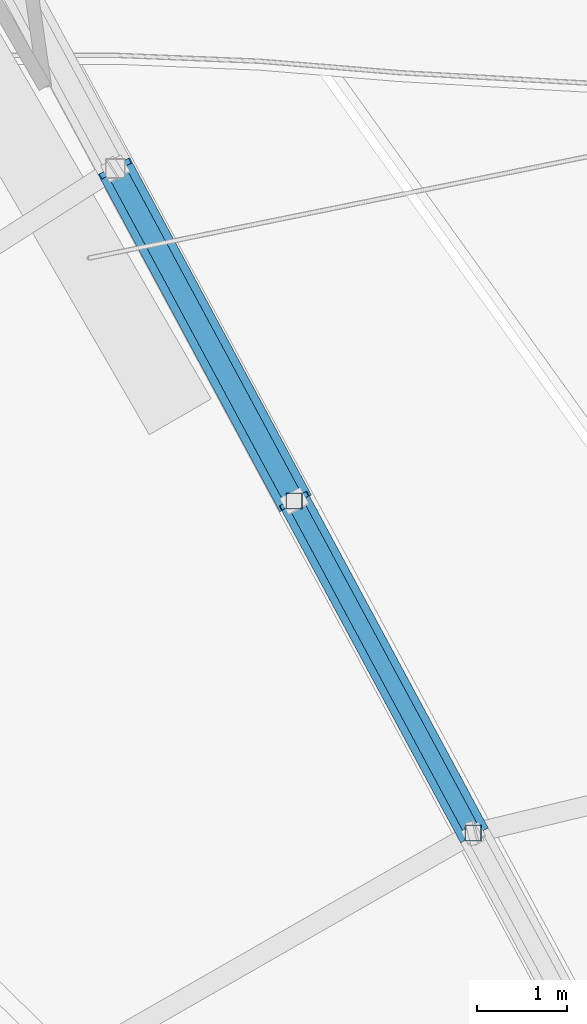
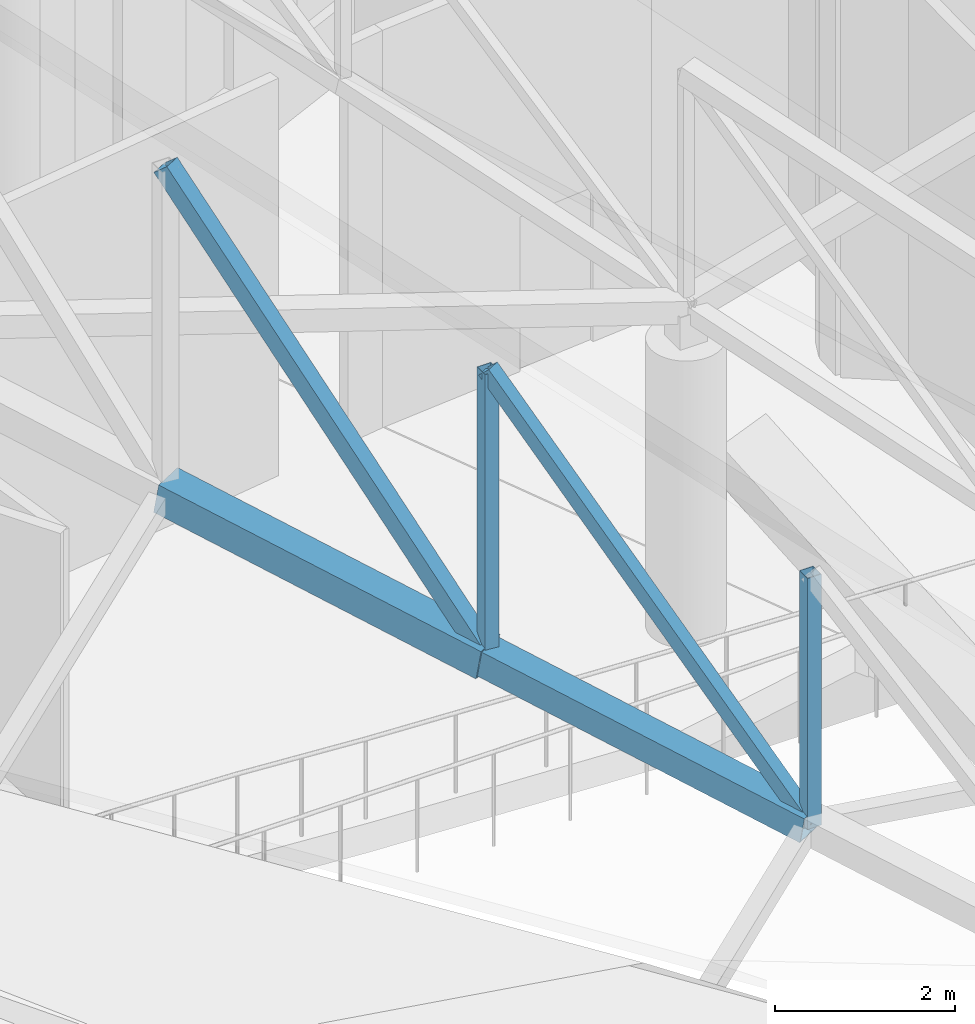
# One storey, part 141 of 344: 6 members.
"""IFC4 building model written with IfcOpenShell, lengths in metres."""

from ifc_helpers import new_model, si_unit, direction, frame, origin, origin_2d, place, context, subcontext, project, spatial, hollow_rectangle, extrude, material, material_profile, profile_set, type_object, element, save


model = new_model("IFC4")

# Units and contexts
model_context = context("Model", 3, precision=1e-05, world=origin(), true_north=direction((0.0, 1.0)))
body_context = subcontext(model_context, "Body", "Model", "MODEL_VIEW")
ifc_project = project(units=[si_unit("LENGTHUNIT", "METRE"), si_unit("AREAUNIT", "SQUARE_METRE"), si_unit("VOLUMEUNIT", "CUBIC_METRE"), si_unit("PLANEANGLEUNIT", "RADIAN"), si_unit("MASSUNIT", "GRAM", prefix="KILO")], contexts=[model_context])

# Site, building, storey
site_placement = place(None, origin())
site = spatial("IfcSite", under=ifc_project, at=site_placement, CompositionType="ELEMENT")
building_placement = place(site_placement, origin())
building = spatial("IfcBuilding", under=site, at=building_placement, Name="Meseta Stadium", CompositionType="ELEMENT")
storey_placement = place(building_placement, frame((0.0, 0.0, 24.0)))
storey = spatial("IfcBuildingStorey", under=building, at=storey_placement, Name="L04", CompositionType="ELEMENT", Elevation=24.0)

# Members
ifc_material_1 = material(Name="Steel S355", Category="steel")
ifc_material_profile_1 = material_profile(ifc_material_1, hollow_rectangle(XDim=0.179931640625, YDim=0.179931640625, WallThickness=0.00634765625, at=origin_2d()), Name="SHS 180x180x6.3")
ifc_profile_set_1 = profile_set([ifc_material_profile_1], Name="Steel S355")
member_type_1 = type_object("IfcMemberType", Name="SHS 180x180x6.3 diagonal", PredefinedType="BRACE", material=ifc_profile_set_1)
member_1_placement = place(storey_placement, frame((-38.682373046875, 79.9521484375, 4.798828125), z_axis=(-0.319424878403, 0.592994818207, 0.739137938843), x_axis=(-0.880396734491, -0.474237904324, 0.0)))
element("IfcMember", 1, at=member_1_placement, inside=storey, type_object=member_type_1, Name="ROOF TRUSS RT-22 diagonal", PredefinedType="BRACE", context=body_context, shape_type="SweptSolid", body=[
    extrude(hollow_rectangle(XDim=0.179931640625, YDim=0.179931640625, WallThickness=0.00634765625, at=origin_2d()), origin(), (0.0, 0.0, 1.0), 6.26123046875),
])
ifc_material_2 = material(Name="Steel S355", Category="steel")
ifc_material_profile_2 = material_profile(ifc_material_2, hollow_rectangle(XDim=0.179931640625, YDim=0.179931640625, WallThickness=0.00634765625, at=origin_2d()), Name="SHS 180x180x6.3")
ifc_profile_set_2 = profile_set([ifc_material_profile_2], Name="Steel S355")
member_type_2 = type_object("IfcMemberType", Name="SHS 180x180x6.3 post", PredefinedType="POST", material=ifc_profile_set_2)
member_2_placement = place(storey_placement, frame((-38.682373046875, 79.9521484375, 4.798828125), z_axis=(0.0, 0.0, 1.0), x_axis=(1.0, 0.0, 0.0)))
element("IfcMember", 2, at=member_2_placement, inside=storey, type_object=member_type_2, Name="ROOF TRUSS RT-22 post", PredefinedType="POST", context=body_context, shape_type="SweptSolid", body=[
    extrude(hollow_rectangle(XDim=0.179931640625, YDim=0.179931640625, WallThickness=0.00634765625, at=origin_2d()), origin(), (0.0, 0.0, 1.0), 3.411376953125),
])
member_3_placement = place(storey_placement, frame((-40.682373046875, 83.6650390625, 5.512451171875), z_axis=(0.0, 0.0, 1.0), x_axis=(1.0, 0.0, 0.0)))
element("IfcMember", 3, at=member_3_placement, inside=storey, type_object=member_type_2, Name="ROOF TRUSS RT-22 post", PredefinedType="POST", context=body_context, shape_type="SweptSolid", body=[
    extrude(hollow_rectangle(XDim=0.179931640625, YDim=0.179931640625, WallThickness=0.00634765625, at=origin_2d()), origin(), (0.0, 0.0, 1.0), 3.914306640625),
])
ifc_material_3 = material(Name="Steel S355", Category="steel")
ifc_material_profile_3 = material_profile(ifc_material_3, hollow_rectangle(XDim=0.219970703125, YDim=0.219970703125, WallThickness=0.008056640625, at=origin_2d()), Name="SHS 220x220x8")
ifc_profile_set_3 = profile_set([ifc_material_profile_3], Name="Steel S355")
member_type_3 = type_object("IfcMemberType", Name="SHS 220x220x8 diagonal", PredefinedType="BRACE", material=ifc_profile_set_3)
member_4_placement = place(storey_placement, frame((-40.682373046875, 83.6650390625, 5.512451171875), z_axis=(-0.30113080949, 0.559032879728, 0.772529918488), x_axis=(-0.880396734491, -0.474237904324, 0.0)))
element("IfcMember", 4, at=member_4_placement, inside=storey, type_object=member_type_3, Name="ROOF TRUSS RT-22 diagonal", PredefinedType="BRACE", context=body_context, shape_type="SweptSolid", body=[
    extrude(hollow_rectangle(XDim=0.219970703125, YDim=0.219970703125, WallThickness=0.008056640625, at=origin_2d()), origin(), (0.0, 0.0, 1.0), 6.6416015625),
])
ifc_material_4 = material(Name="Steel S355", Category="steel")
ifc_material_profile_4 = material_profile(ifc_material_4, hollow_rectangle(XDim=0.35009765625, YDim=0.35009765625, WallThickness=0.010009765625, at=origin_2d()), Name="SHS 350x350x10")
ifc_profile_set_4 = profile_set([ifc_material_profile_4], Name="Steel S355")
member_type_4 = type_object("IfcMemberType", Name="SHS 350x350x10 bottom chord", PredefinedType="CHORD", material=ifc_profile_set_4)
member_5_placement = place(storey_placement, frame((-38.682373046875, 79.9521484375, 4.798828125), z_axis=(-0.46759083346, 0.868056810945, 0.166841797632), x_axis=(-0.880396734491, -0.474237904324, 0.0)))
element("IfcMember", 5, at=member_5_placement, inside=storey, type_object=member_type_4, Name="ROOF TRUSS RT-22 bottom chord", PredefinedType="CHORD", context=body_context, shape_type="SweptSolid", body=[
    extrude(hollow_rectangle(XDim=0.35009765625, YDim=0.35009765625, WallThickness=0.010009765625, at=origin_2d()), origin(), (0.0, 0.0, 1.0), 4.27734375),
])
ifc_material_5 = material(Name="Steel S355", Category="steel")
ifc_material_profile_5 = material_profile(ifc_material_5, hollow_rectangle(XDim=0.39990234375, YDim=0.39990234375, WallThickness=0.01416015625, at=origin_2d()), Name="SHS 400x400x14.2")
ifc_profile_set_5 = profile_set([ifc_material_profile_5], Name="Steel S355")
member_type_5 = type_object("IfcMemberType", Name="SHS 400x400x14.2 bottom chord", PredefinedType="CHORD", material=ifc_profile_set_5)
member_6_placement = place(storey_placement, frame((-40.682373046875, 83.6650390625, 5.512451171875), z_axis=(-0.467595285702, 0.868065076289, 0.166786306741), x_axis=(-0.880396734491, -0.474237904324, 0.0)))
element("IfcMember", 6, at=member_6_placement, inside=storey, type_object=member_type_5, Name="ROOF TRUSS RT-22 bottom chord", PredefinedType="CHORD", context=body_context, shape_type="SweptSolid", body=[
    extrude(hollow_rectangle(XDim=0.39990234375, YDim=0.39990234375, WallThickness=0.01416015625, at=origin_2d()), origin(), (0.0, 0.0, 1.0), 4.277099609375),
])

save(model, "model.ifc")
